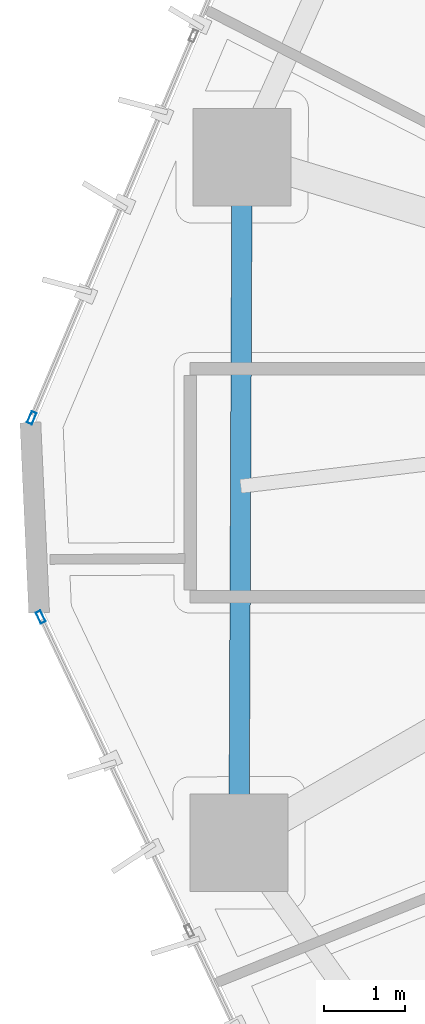
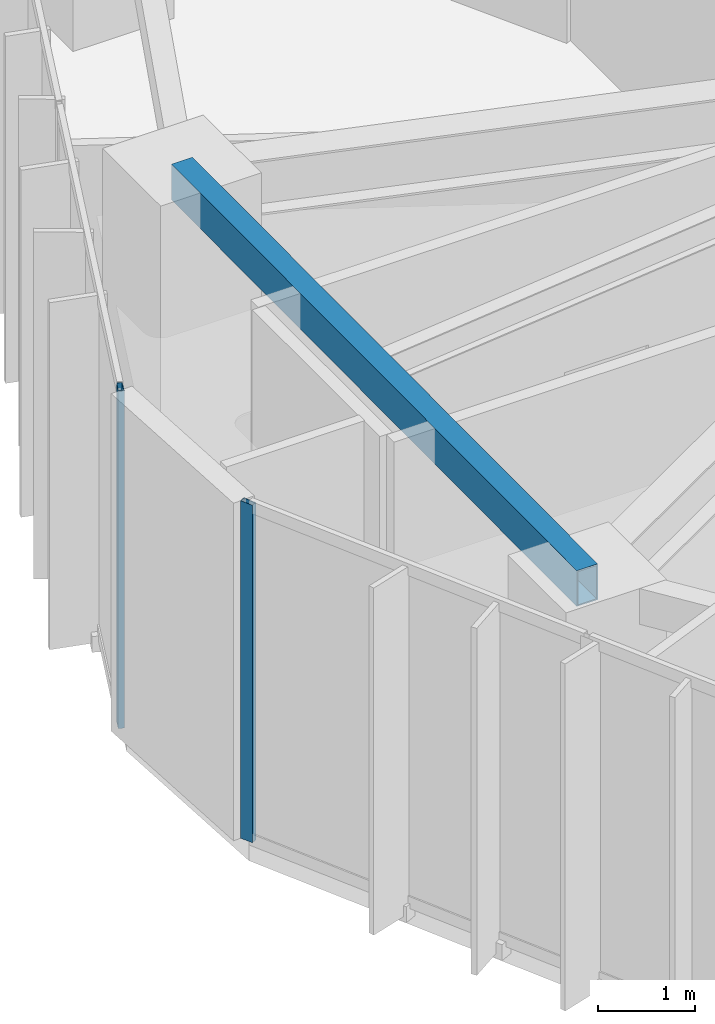
# One storey, part 9 of 28: 2 members, 1 beam, 2 elements without a shape of their own.
"""IFC4 building model written with IfcOpenShell, lengths in metres."""

from ifc_helpers import new_model, si_unit, direction, frame, origin, origin_2d, place, context, subcontext, project, spatial, hollow_rectangle, extrude, source, transform, mapped, material, layer, layer_set, material_profile, profile_set, type_object, type_shapes, element, aggregate, save


model = new_model("IFC4")

# Units and contexts
model_context = context("Model", 3, precision=1e-05, world=origin(), true_north=direction((0.0, 1.0)))
body_context = subcontext(model_context, "Body", "Model", "MODEL_VIEW")
ifc_project = project(units=[si_unit("LENGTHUNIT", "METRE"), si_unit("AREAUNIT", "SQUARE_METRE"), si_unit("VOLUMEUNIT", "CUBIC_METRE"), si_unit("PLANEANGLEUNIT", "RADIAN"), si_unit("MASSUNIT", "GRAM", prefix="KILO")], contexts=[model_context])

# Site, building, storey
site_placement = place(None, origin())
site = spatial("IfcSite", under=ifc_project, at=site_placement, CompositionType="ELEMENT")
building_placement = place(site_placement, origin())
building = spatial("IfcBuilding", under=site, at=building_placement, Name="Talar Marvaseh", CompositionType="ELEMENT")
storey_placement = place(building_placement, frame((0.0, 0.0, 157.800048828125)))
storey = spatial("IfcBuildingStorey", under=building, at=storey_placement, Name="L41", CompositionType="ELEMENT", Elevation=157.800048828125)

# Beam
ifc_material_1 = material(Name="Steel S355", Category="steel")
ifc_material_profile_1 = material_profile(ifc_material_1, hollow_rectangle(XDim=0.25, YDim=0.449951171875, WallThickness=0.01611328125, at=origin_2d()), Name="RHS450x250x16")
ifc_profile_set_1 = profile_set([ifc_material_profile_1], Name="Steel S355")
beam_type = type_object("IfcBeamType", Name="Zone 2 Perimeter Spandrel Beam RHS450x250x16", PredefinedType="SPANDREL", material=ifc_profile_set_1)
beam_placement = place(storey_placement, frame((9.10107421875, 19.97705078125, 4.02490234375), z_axis=(0.004375628226, 0.999990426893, 0.0), x_axis=(-0.999990426893, 0.004375628226, 0.0)))
element("IfcBeam", 1, at=beam_placement, inside=storey, type_object=beam_type, Name="L41 Zone 2 Perimeter Spandrel Beam RHS450x250x16", PredefinedType="SPANDREL", context=body_context, shape_type="SweptSolid", body=[
    extrude(hollow_rectangle(XDim=0.25, YDim=0.449951171875, WallThickness=0.01611328125, at=origin_2d()), origin(), (0.0, 0.0, 1.0), 8.425048828125),
])

# Curtain wall, member
ifc_material_2 = material(Name="Architectural Aluminium", Category="aluminium")
ifc_layer = layer(ifc_material_2, 0.239990234375)
ifc_layer_set = layer_set([ifc_layer], Name="Architectural Aluminium")
curtain_wall_type = type_object("IfcCurtainWallType", Name="Observation Sky Gallery Structural Glass Wall", PredefinedType="NOTDEFINED", material=ifc_layer_set)
curtain_wall_1_placement = place(storey_placement, origin())
curtain_wall_1 = element("IfcCurtainWall", 2, at=curtain_wall_1_placement, inside=storey, type_object=curtain_wall_type, Name="L41 Observation Sky Gallery Structural Glass Wall", PredefinedType="NOTDEFINED")
ifc_material_profile_2 = material_profile(ifc_material_2, hollow_rectangle(XDim=0.06494140625, YDim=0.14990234375, WallThickness=0.00390625, at=origin_2d()), Name="RHS150x65x4")
ifc_profile_set_2 = profile_set([ifc_material_profile_2], Name="Architectural Aluminium")
member_type = type_object("IfcMemberType", Name="Unitised Curtain Wall Slim Mullion RHS150x65x4", PredefinedType="MULLION", material=ifc_profile_set_2)
shared_shape = source(origin(), body_context, "Body", "SweptSolid", [
    extrude(hollow_rectangle(XDim=0.06494140625, YDim=0.14990234375, WallThickness=0.00390625, at=origin_2d()), origin(), (0.0, 0.0, 1.0), 4.25),
])
type_shapes(member_type, [shared_shape])
member_1_placement = place(storey_placement, frame((6.663818359375, 22.751708984375, 0.0), z_axis=(0.0, 0.0, 1.0), x_axis=(-0.903736536028, -0.428089095221, 0.0)))
member_1 = element("IfcMember", 3, at=member_1_placement, type_object=member_type, Name="CW-OBS mullion 5", PredefinedType="MULLION", context=body_context, shape_type="MappedRepresentation", body=[
    mapped(shared_shape, transform((0.0, 0.0, 0.0), x_axis=(1.0, 0.0, 0.0), y_axis=(0.0, 1.0, 0.0), z_axis=(0.0, 0.0, 1.0), scale=1.0)),
])
aggregate(curtain_wall_1, [member_1])

curtain_wall_2_placement = place(storey_placement, origin())
curtain_wall_2 = element("IfcCurtainWall", 4, at=curtain_wall_2_placement, inside=storey, type_object=curtain_wall_type, Name="L41 Observation Sky Gallery Structural Glass Wall", PredefinedType="NOTDEFINED")
member_2_placement = place(storey_placement, frame((6.55419921875, 25.19873046875, 0.0), z_axis=(0.0, 0.0, 1.0), x_axis=(-0.920967430429, 0.389639566894, 0.0)))
member_2 = element("IfcMember", 5, at=member_2_placement, type_object=member_type, Name="CW-OBS mullion 1", PredefinedType="MULLION", context=body_context, shape_type="MappedRepresentation", body=[
    mapped(shared_shape, transform((0.0, 0.0, 0.0), x_axis=(1.0, 0.0, 0.0), y_axis=(0.0, 1.0, 0.0), z_axis=(0.0, 0.0, 1.0), scale=1.0)),
])
aggregate(curtain_wall_2, [member_2])

save(model, "model.ifc")
